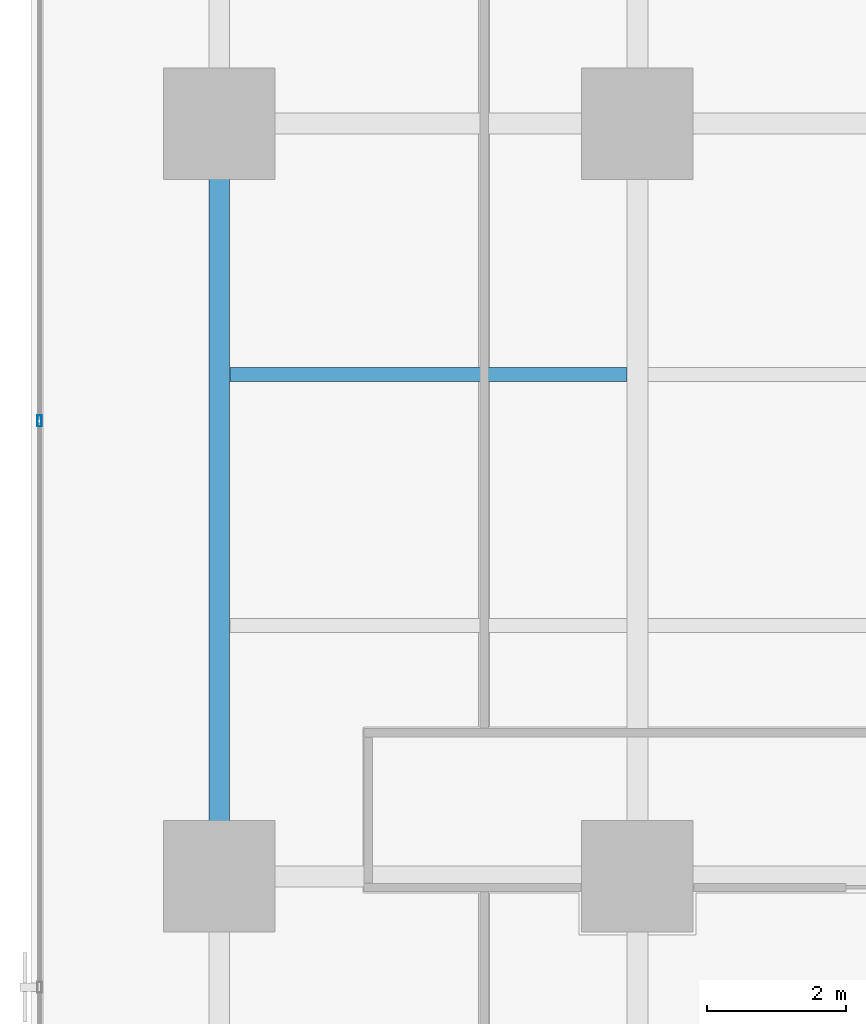
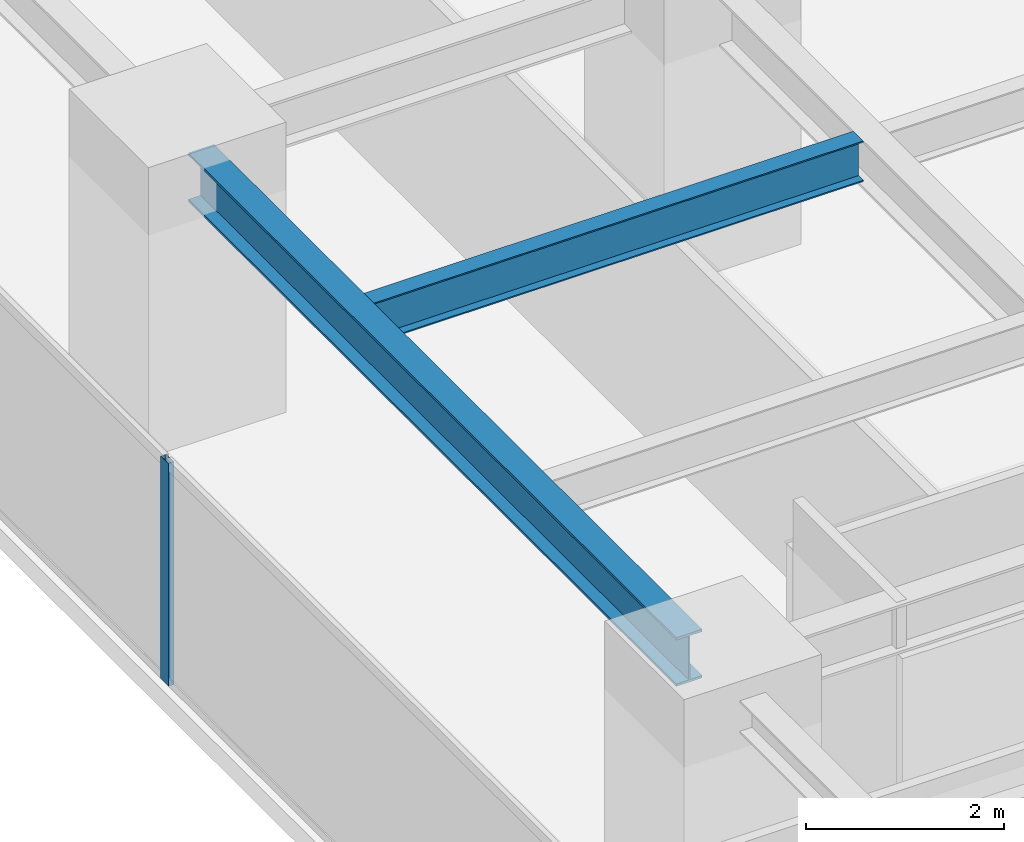
# One storey, part 8 of 37: 2 beams, 1 member, 1 element without a shape of its own.
"""IFC4 building model written with IfcOpenShell, lengths in metres."""

from ifc_helpers import new_model, si_unit, direction, frame, origin, origin_2d, place, context, subcontext, project, spatial, hollow_rectangle, i_section, extrude, source, transform, mapped, material, layer, layer_set, material_profile, profile_set, type_object, element, aggregate, save


model = new_model("IFC4")

# Units and contexts
model_context = context("Model", 3, precision=1e-05, world=origin(), true_north=direction((0.0, 1.0)))
body_context = subcontext(model_context, "Body", "Model", "MODEL_VIEW")
ifc_project = project(units=[si_unit("LENGTHUNIT", "METRE"), si_unit("AREAUNIT", "SQUARE_METRE"), si_unit("VOLUMEUNIT", "CUBIC_METRE"), si_unit("PLANEANGLEUNIT", "RADIAN"), si_unit("MASSUNIT", "GRAM", prefix="KILO")], contexts=[model_context])

# Site, building, storey
site_placement = place(None, origin())
site = spatial("IfcSite", under=ifc_project, at=site_placement, CompositionType="ELEMENT")
building_placement = place(site_placement, origin())
building = spatial("IfcBuilding", under=site, at=building_placement, Name="Sumidabori Civic Tower", CompositionType="ELEMENT")
storey_placement = place(building_placement, frame((0.0, 0.0, 88.39990234375)))
storey = spatial("IfcBuildingStorey", under=building, at=storey_placement, Name="L22", CompositionType="ELEMENT", Elevation=88.39990234375)

# Beams
ifc_material_1 = material(Name="Steel SN490", Category="steel")
ifc_material_profile_1 = material_profile(ifc_material_1, i_section(OverallWidth=0.300048828125, OverallDepth=0.60009765625, WebThickness=0.015380859375, FlangeThickness=0.030029296875, at=origin_2d()), Name="HE 600 B")
ifc_profile_set_1 = profile_set([ifc_material_profile_1], Name="Steel SN490")
beam_type_1 = type_object("IfcBeamType", Name="BM-GIRD-600", PredefinedType="BEAM", material=ifc_profile_set_1)
shared_shape_1 = source(origin(), body_context, "Body", "SweptSolid", [
    extrude(i_section(OverallWidth=0.300048828125, OverallDepth=0.60009765625, WebThickness=0.015380859375, FlangeThickness=0.030029296875, at=origin_2d()), origin(), (0.0, 0.0, 1.0), 9.840087890625),
])
beam_1_placement = place(storey_placement, frame((-22.800048828125, -10.320068359375, 3.06005859375), z_axis=(0.0, 1.0, 0.0), x_axis=(-1.0, 0.0, 0.0)))
element("IfcBeam", 1, at=beam_1_placement, inside=storey, type_object=beam_type_1, Name="Primary Girder L22 GY-22", PredefinedType="BEAM", context=body_context, shape_type="MappedRepresentation", body=[
    mapped(shared_shape_1, transform((0.0, 0.0, 0.0), x_axis=(1.0, 0.0, 0.0), y_axis=(0.0, 1.0, 0.0), z_axis=(0.0, 0.0, 1.0), scale=1.0)),
])
ifc_material_profile_2 = material_profile(ifc_material_1, i_section(OverallWidth=0.199951171875, OverallDepth=0.5, WebThickness=0.01025390625, FlangeThickness=0.01611328125, at=origin_2d()), Name="IPE 500")
ifc_profile_set_2 = profile_set([ifc_material_profile_2], Name="Steel SN490")
beam_type_2 = type_object("IfcBeamType", Name="BM-JST-500", PredefinedType="JOIST", material=ifc_profile_set_2)
shared_shape_2 = source(origin(), body_context, "Body", "SweptSolid", [
    extrude(i_section(OverallWidth=0.199951171875, OverallDepth=0.5, WebThickness=0.01025390625, FlangeThickness=0.01611328125, at=origin_2d()), origin(), (0.0, 0.0, 1.0), 5.699951171875),
])
beam_2_placement = place(storey_placement, frame((-22.64990234375, -3.60009765625, 3.110107421875), z_axis=(1.0, 0.0, 0.0), x_axis=(0.0, 1.0, 0.0)))
element("IfcBeam", 2, at=beam_2_placement, inside=storey, type_object=beam_type_2, Name="Outer Bay Floor Joist L22 JSTO-45", PredefinedType="JOIST", context=body_context, shape_type="MappedRepresentation", body=[
    mapped(shared_shape_2, transform((0.0, 0.0, 0.0), x_axis=(1.0, 0.0, 0.0), y_axis=(0.0, 1.0, 0.0), z_axis=(0.0, 0.0, 1.0), scale=1.0)),
])

# Curtain wall, member
ifc_material_2 = material(Name="Anodised Bronze Aluminium AW-6063-T6", Category="aluminium")
ifc_layer = layer(ifc_material_2, 0.179931640625, Name="Anodised Bronze Aluminium AW-6063-T6")
ifc_layer_set = layer_set([ifc_layer], Name="Anodised Bronze Aluminium AW-6063-T6")
curtain_wall_type = type_object("IfcCurtainWallType", Name="CW-SYS-3", PredefinedType="NOTDEFINED", material=ifc_layer_set)
curtain_wall_placement = place(storey_placement, origin())
curtain_wall = element("IfcCurtainWall", 3, at=curtain_wall_placement, inside=storey, type_object=curtain_wall_type, Name="Curtain Wall CW:L22:R10", PredefinedType="NOTDEFINED")
ifc_material_profile_3 = material_profile(ifc_material_2, hollow_rectangle(XDim=0.06494140625, YDim=0.159912109375, WallThickness=0.0048828125, at=origin_2d()), Name="ALU MULLION 160x65")
ifc_profile_set_3 = profile_set([ifc_material_profile_3], Name="Anodised Bronze Aluminium AW-6063-T6")
member_type = type_object("IfcMemberType", Name="CW-MUL-160", PredefinedType="MULLION", material=ifc_profile_set_3)
shared_shape_3 = source(origin(), body_context, "Body", "SweptSolid", [
    extrude(hollow_rectangle(XDim=0.06494140625, YDim=0.159912109375, WallThickness=0.0048828125, at=origin_2d()), origin(), (0.0, 0.0, 1.0), 2.739990234375),
])
member_placement = place(storey_placement, frame((-25.3798828125, -4.263916015625, 0.0), z_axis=(0.0, 0.0, 1.0), x_axis=(1.0, 0.0, 0.0)))
member = element("IfcMember", 4, at=member_placement, type_object=member_type, Name="CW-3 mullion 4", PredefinedType="MULLION", context=body_context, shape_type="MappedRepresentation", body=[
    mapped(shared_shape_3, transform((0.0, 0.0, 0.0), x_axis=(1.0, 0.0, 0.0), y_axis=(0.0, 1.0, 0.0), z_axis=(0.0, 0.0, 1.0), scale=1.0)),
])
aggregate(curtain_wall, [member])

save(model, "model.ifc")
